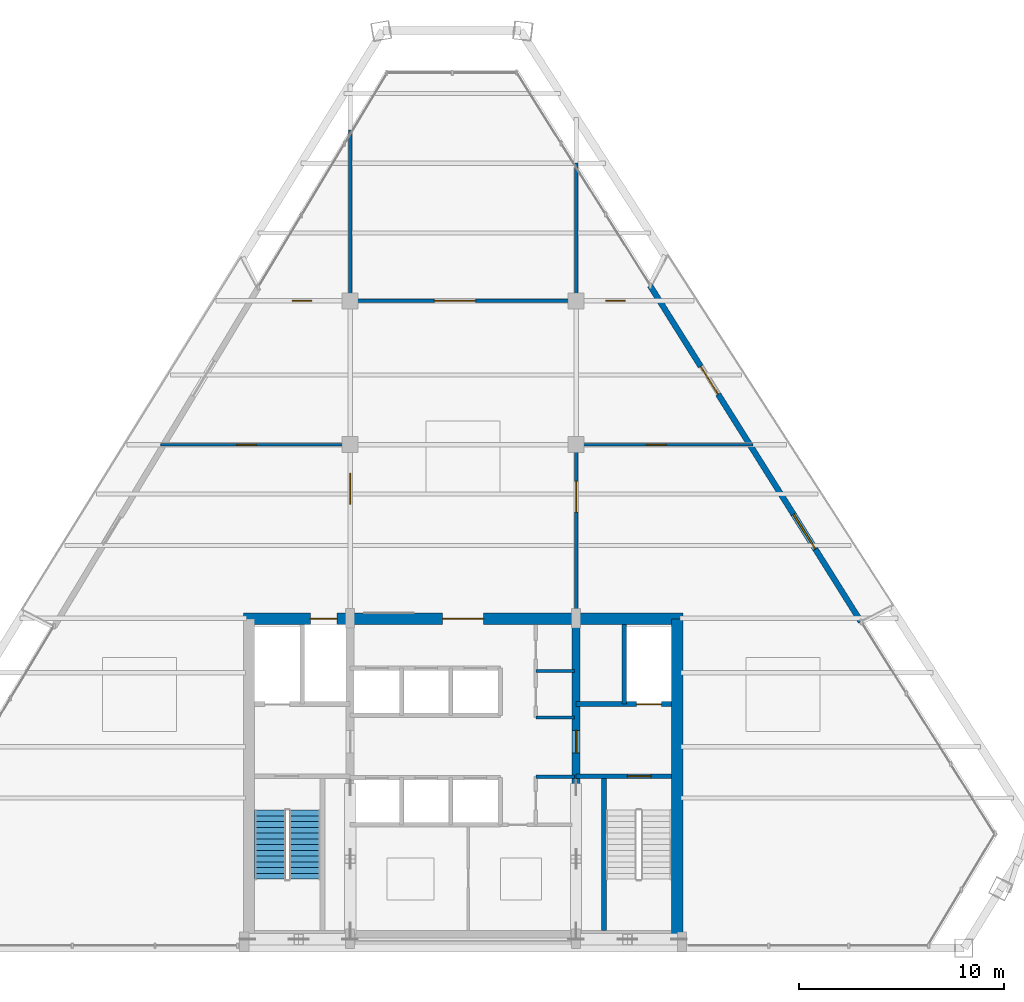
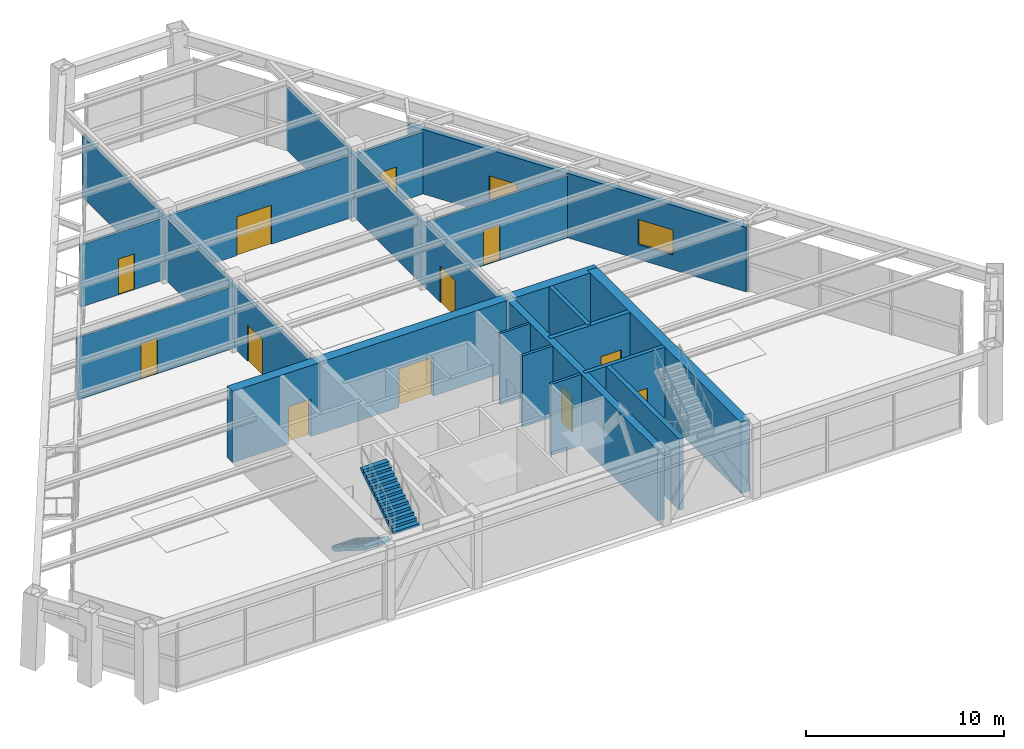
# One storey, part 8 of 11: 16 walls, 13 doors, 2 stair flights, 1 window, 14 openings, 1 element without a shape of its own.
"""IFC4 building model written with IfcOpenShell, lengths in metres."""

from ifc_helpers import new_model, si_unit, direction, frame, frame_2d, origin, place, context, subcontext, project, spatial, polyline, rectangle, outline, extrude, source, transform, mapped, material, layer, layer_set, type_object, type_shapes, element, fill, aggregate, save


model = new_model("IFC4")

# Units and contexts
model_context = context("Model", 3, precision=1e-05, world=origin(), true_north=direction((0.0, 1.0)))
body_context = subcontext(model_context, "Body", "Model", "MODEL_VIEW")
ifc_project = project(units=[si_unit("LENGTHUNIT", "METRE"), si_unit("AREAUNIT", "SQUARE_METRE"), si_unit("VOLUMEUNIT", "CUBIC_METRE"), si_unit("PLANEANGLEUNIT", "RADIAN"), si_unit("MASSUNIT", "GRAM", prefix="KILO")], contexts=[model_context])

# Site, building, storey
site_placement = place(None, origin())
site = spatial("IfcSite", under=ifc_project, at=site_placement, CompositionType="ELEMENT")
building_placement = place(site_placement, origin())
building = spatial("IfcBuilding", under=site, at=building_placement, Name="Varnakhor Terracotta Tower", CompositionType="ELEMENT")
storey_placement = place(building_placement, frame((0.0, 0.0, 215.39990234375)))
storey = spatial("IfcBuildingStorey", under=building, at=storey_placement, Name="L55", CompositionType="ELEMENT", Elevation=215.39990234375)

# Wall, openings, doors
ifc_material_1 = material(Name="Concrete C50/60", Category="concrete")
ifc_layer_1 = layer(ifc_material_1, 0.550048828125, Name="Concrete C50/60")
ifc_layer_set_1 = layer_set([ifc_layer_1], Name="Concrete C50/60")
wall_type_1 = type_object("IfcWallType", Name="WAL-CORE-550", PredefinedType="SHEAR", material=ifc_layer_set_1)
wall_1_placement = place(storey_placement, frame((-10.699951171875, 16.02490234375, 0.0), z_axis=(0.0, 0.0, 1.0), x_axis=(1.0, 0.0, 0.0)))
wall_1 = element("IfcWall", 1, at=wall_1_placement, inside=storey, type_object=wall_type_1, Name="L55 North Core Shear Wall", PredefinedType="SHEAR", context=body_context, shape_type="SweptSolid", body=[
    extrude(rectangle(XDim=21.39990234375, YDim=0.550048828125, at=frame_2d((10.699951171875, 0.0))), origin(), (0.0, 0.0, 1.0), 4.39013671875),
])
opening_1_placement = place(wall_1_placement, frame((3.27001953125, 0.0, 0.0)))
opening_1 = element("IfcOpeningElement", 2, at=opening_1_placement, cuts=wall_1, Name="Opening LD-03", PredefinedType="OPENING", context=body_context, shape_type="SweptSolid", body=[
    extrude(rectangle(XDim=1.300048828125, YDim=2.300048828125, at=frame_2d((0.64990234375, 1.14990234375))), frame((0.0, 0.28515625, 0.0), z_axis=(0.0, -1.0, 0.0), x_axis=(1.0, 0.0, 0.0)), (0.0, 0.0, 1.0), 0.570068359375),
])
opening_2_placement = place(wall_1_placement, frame((9.699951171875, 0.0, 0.0)))
opening_2 = element("IfcOpeningElement", 3, at=opening_2_placement, cuts=wall_1, Name="Opening DR-32", PredefinedType="OPENING", context=body_context, shape_type="SweptSolid", body=[
    extrude(rectangle(XDim=2.0, YDim=2.39990234375, at=frame_2d((1.0, 1.199951171875))), frame((0.0, 0.28515625, 0.0), z_axis=(0.0, -1.0, 0.0), x_axis=(1.0, 0.0, 0.0)), (0.0, 0.0, 1.0), 0.570068359375),
])
ifc_material_2 = material(Name="Heavy-Duty Goods Sliding Lift Landing Door", Category="steel")
door_type_1 = type_object("IfcDoorType", Name="LD-SRV-1300X2300", OperationType="NOTDEFINED", PredefinedType="DOOR", material=ifc_material_2)
shared_shape_1 = source(origin(), body_context, "Body", "SweptSolid", [
    extrude(rectangle(XDim=1.300048828125, YDim=2.300048828125, at=frame_2d((0.64990234375, 1.14990234375))), frame((0.0, 0.02490234375, 0.0), z_axis=(0.0, -1.0, 0.0), x_axis=(1.0, 0.0, 0.0)), (0.0, 0.0, 1.0), 0.050048828125),
])
type_shapes(door_type_1, [shared_shape_1])
door_1_placement = place(opening_1_placement, origin())
door_1 = element("IfcDoor", 4, at=door_1_placement, inside=storey, type_object=door_type_1, Name="L55 Service Lift SVL-1 Landing Door", OperationType="SLIDING_TO_RIGHT", OverallHeight=2.300048828125, OverallWidth=1.300048828125, PredefinedType="DOOR", context=body_context, shape_type="MappedRepresentation", body=[
    mapped(shared_shape_1, transform((0.0, 0.0, 0.0), scale=1.0)),
])
fill(opening_1, door_1)
ifc_material_3 = material(Name="Acoustic Double Assembly Fire Door", Category="wood")
door_type_2 = type_object("IfcDoorType", Name="DR-HALL-2000X2400", OperationType="NOTDEFINED", PredefinedType="DOOR", material=ifc_material_3)
shared_shape_2 = source(origin(), body_context, "Body", "SweptSolid", [
    extrude(rectangle(XDim=2.0, YDim=2.39990234375, at=frame_2d((1.0, 1.199951171875))), frame((0.0, 0.02490234375, 0.0), z_axis=(0.0, -1.0, 0.0), x_axis=(1.0, 0.0, 0.0)), (0.0, 0.0, 1.0), 0.050048828125),
])
type_shapes(door_type_2, [shared_shape_2])
door_2_placement = place(opening_2_placement, origin())
door_2 = element("IfcDoor", 5, at=door_2_placement, inside=storey, type_object=door_type_2, Name="L55 Core Main Lobby Double Door", OperationType="DOUBLE_DOOR_SINGLE_SWING", OverallHeight=2.39990234375, OverallWidth=2.0, PredefinedType="DOOR", context=body_context, shape_type="MappedRepresentation", body=[
    mapped(shared_shape_2, transform((0.0, 0.0, 0.0), scale=1.0)),
])
fill(opening_2, door_2)

# Wall
wall_2_placement = place(storey_placement, frame((10.425048828125, 0.574951171875, 0.0), z_axis=(0.0, 0.0, 1.0), x_axis=(0.0, 1.0, 0.0)))
element("IfcWall", 6, at=wall_2_placement, inside=storey, type_object=wall_type_1, Name="L55 East Core Shear Wall", PredefinedType="SHEAR", context=body_context, shape_type="SweptSolid", body=[
    extrude(rectangle(XDim=15.449951171875, YDim=0.550048828125, at=frame_2d((7.72509765625, 0.0))), origin(), (0.0, 0.0, 1.0), 4.39013671875),
])

# Wall, opening, door
ifc_layer_2 = layer(ifc_material_1, 0.39990234375, Name="Concrete C50/60")
ifc_layer_set_2 = layer_set([ifc_layer_2], Name="Concrete C50/60")
wall_type_2 = type_object("IfcWallType", Name="WAL-CORE-WEB-400", PredefinedType="SHEAR", material=ifc_layer_set_2)
wall_3_placement = place(storey_placement, frame((5.5, 0.574951171875, 0.0), z_axis=(0.0, 0.0, 1.0), x_axis=(0.0, 1.0, 0.0)))
wall_3 = element("IfcWall", 7, at=wall_3_placement, inside=storey, type_object=wall_type_2, Name="L55 East Core Web Shear Wall", PredefinedType="SHEAR", context=body_context, shape_type="SweptSolid", body=[
    extrude(rectangle(XDim=15.449951171875, YDim=0.39990234375, at=frame_2d((7.72509765625, 0.0))), origin(), (0.0, 0.0, 1.0), 4.39013671875),
])
opening_3_placement = place(wall_3_placement, frame((8.925048828125, 0.0, 0.0)))
opening_3 = element("IfcOpeningElement", 8, at=opening_3_placement, cuts=wall_3, Name="Opening DR-25", PredefinedType="OPENING", context=body_context, shape_type="SweptSolid", body=[
    extrude(rectangle(XDim=1.10009765625, YDim=2.199951171875, at=frame_2d((0.550048828125, 1.10009765625))), frame((0.0, 0.2099609375, 0.0), z_axis=(0.0, -1.0, 0.0), x_axis=(1.0, 0.0, 0.0)), (0.0, 0.0, 1.0), 0.419921875),
])
ifc_material_4 = material(Name="Firefighting Lobby Self-Closing Fire Door", Category="steel")
door_type_3 = type_object("IfcDoorType", Name="DR-FFL-1100X2200", OperationType="NOTDEFINED", PredefinedType="DOOR", material=ifc_material_4)
shared_shape_3 = source(origin(), body_context, "Body", "SweptSolid", [
    extrude(rectangle(XDim=1.10009765625, YDim=2.199951171875, at=frame_2d((0.550048828125, 1.10009765625))), frame((0.0, 0.02490234375, 0.0), z_axis=(0.0, -1.0, 0.0), x_axis=(1.0, 0.0, 0.0)), (0.0, 0.0, 1.0), 0.050048828125),
])
type_shapes(door_type_3, [shared_shape_3])
door_3_placement = place(opening_3_placement, origin())
door_3 = element("IfcDoor", 9, at=door_3_placement, inside=storey, type_object=door_type_3, Name="L55 East Firefighting Lobby Door", OperationType="SINGLE_SWING_LEFT", OverallHeight=2.199951171875, OverallWidth=1.10009765625, PredefinedType="DOOR", context=body_context, shape_type="MappedRepresentation", body=[
    mapped(shared_shape_3, transform((0.0, 0.0, 0.0), scale=1.0)),
])
fill(opening_3, door_3)

# Wall, openings, door, window
ifc_material_5 = material(Name="Extruded Architectural Terracotta Assembly", Category="masonry")
ifc_layer_3 = layer(ifc_material_5, 0.280029296875, Name="Extruded Architectural Terracotta Assembly")
ifc_layer_set_3 = layer_set([ifc_layer_3], Name="Extruded Architectural Terracotta Assembly")
wall_type_3 = type_object("IfcWallType", Name="WAL-EXT-TERRACOTTA-280", PredefinedType="SOLIDWALL", material=ifc_layer_set_3)
wall_4_placement = place(storey_placement, frame((9.102294921875, 32.23779296875, 0.0), z_axis=(0.0, 0.0, 1.0), x_axis=(0.531549047002, -0.847027514684, 0.0)))
wall_4 = element("IfcWall", 10, at=wall_4_placement, inside=storey, type_object=wall_type_3, Name="L55 E Loggia Insulated Terracotta Wall", PredefinedType="SOLIDWALL", context=body_context, shape_type="SweptSolid", body=[
    extrude(rectangle(XDim=19.3134765625, YDim=0.280029296875, at=frame_2d((9.65673828125, 0.0))), origin(), (0.0, 0.0, 1.0), 3.97021484375),
])
opening_4_placement = place(wall_4_placement, frame((4.63525390625, 0.0, 0.0)))
opening_4 = element("IfcOpeningElement", 11, at=opening_4_placement, cuts=wall_4, Name="Opening DR-62", PredefinedType="OPENING", context=body_context, shape_type="SweptSolid", body=[
    extrude(rectangle(XDim=1.60009765625, YDim=2.35009765625, at=frame_2d((0.800048828125, 1.175048828125))), frame((0.0, 0.14990234375, 0.0), z_axis=(0.0, -1.0, 0.0), x_axis=(1.0, 0.0, 0.0)), (0.0, 0.0, 1.0), 0.300048828125),
])
opening_5_placement = place(wall_4_placement, frame((13.13330078125, 0.0, 0.89990234375)))
opening_5 = element("IfcOpeningElement", 12, at=opening_5_placement, cuts=wall_4, Name="Opening WN-58", PredefinedType="OPENING", context=body_context, shape_type="SweptSolid", body=[
    extrude(rectangle(XDim=2.0, YDim=1.550048828125, at=frame_2d((1.0, 0.77490234375))), frame((0.0, 0.14990234375, 0.0), z_axis=(0.0, -1.0, 0.0), x_axis=(1.0, 0.0, 0.0)), (0.0, 0.0, 1.0), 0.300048828125),
])
ifc_material_6 = material(Name="Thermally Broken Sliding Glass Loggia Door", Category="glass")
door_type_4 = type_object("IfcDoorType", Name="DR-EXT-LOGGIA-1600X2350", OperationType="NOTDEFINED", PredefinedType="DOOR", material=ifc_material_6)
shared_shape_4 = source(origin(), body_context, "Body", "SweptSolid", [
    extrude(rectangle(XDim=1.60009765625, YDim=2.35009765625, at=frame_2d((0.800048828125, 1.175048828125))), frame((0.0, 0.02490234375, 0.0), z_axis=(0.0, -1.0, 0.0), x_axis=(1.0, 0.0, 0.0)), (0.0, 0.0, 1.0), 0.050048828125),
])
type_shapes(door_type_4, [shared_shape_4])
door_4_placement = place(opening_4_placement, origin())
door_4 = element("IfcDoor", 13, at=door_4_placement, inside=storey, type_object=door_type_4, Name="L55 E Recessed Loggia Sliding Door", OperationType="SLIDING_TO_RIGHT", OverallHeight=2.35009765625, OverallWidth=1.60009765625, PredefinedType="DOOR", context=body_context, shape_type="MappedRepresentation", body=[
    mapped(shared_shape_4, transform((0.0, 0.0, 0.0), scale=1.0)),
])
fill(opening_4, door_4)
ifc_material_7 = material(Name="Solar-Control Low-E Insulated Glass Unit", Category="glass")
window_type = type_object("IfcWindowType", Name="WIN-SKY-2600X1600", PartitioningType="SINGLE_PANEL", PredefinedType="WINDOW", material=ifc_material_7)
shared_shape_5 = source(origin(), body_context, "Body", "SweptSolid", [
    extrude(rectangle(XDim=2.0, YDim=1.550048828125, at=frame_2d((1.0, 0.77490234375))), frame((0.0, 0.030029296875, 0.0), z_axis=(0.0, -1.0, 0.0), x_axis=(1.0, 0.0, 0.0)), (0.0, 0.0, 1.0), 0.06005859375),
])
type_shapes(window_type, [shared_shape_5])
window_placement = place(opening_5_placement, origin())
window = element("IfcWindow", 14, at=window_placement, inside=storey, type_object=window_type, Name="L55 E Facet Punched Window", OverallHeight=1.550048828125, OverallWidth=2.0, PartitioningType="SINGLE_PANEL", PredefinedType="WINDOW", context=body_context, shape_type="MappedRepresentation", body=[
    mapped(shared_shape_5, transform((0.0, 0.0, 0.0), scale=1.0)),
])
fill(opening_5, window)

# Wall, opening, door
ifc_material_8 = material(Name="Concrete C40/50", Category="concrete")
ifc_layer_4 = layer(ifc_material_8, 0.219970703125, Name="Concrete C40/50")
ifc_layer_set_4 = layer_set([ifc_layer_4], Name="Concrete C40/50")
wall_type_4 = type_object("IfcWallType", Name="WAL-FFLOBBY-220", PredefinedType="SOLIDWALL", material=ifc_layer_set_4)
wall_5_placement = place(storey_placement, frame((10.14990234375, 8.35009765625, 0.0), z_axis=(0.0, 0.0, 1.0), x_axis=(-1.0, 0.0, 0.0)))
wall_5 = element("IfcWall", 15, at=wall_5_placement, inside=storey, type_object=wall_type_4, Name="L55 East Firefighting Lobby Stair Wall", PredefinedType="SOLIDWALL", context=body_context, shape_type="SweptSolid", body=[
    extrude(rectangle(XDim=4.64990234375, YDim=0.219970703125, at=frame_2d((2.324951171875, 0.0))), origin(), (0.0, 0.0, 1.0), 4.39013671875),
])
opening_6_placement = place(wall_5_placement, frame((1.0, 0.0, 0.0)))
opening_6 = element("IfcOpeningElement", 16, at=opening_6_placement, cuts=wall_5, Name="Opening DR-34", PredefinedType="OPENING", context=body_context, shape_type="SweptSolid", body=[
    extrude(rectangle(XDim=1.14990234375, YDim=2.199951171875, at=frame_2d((0.574951171875, 1.10009765625))), frame((0.0, 0.1201171875, 0.0), z_axis=(0.0, -1.0, 0.0), x_axis=(1.0, 0.0, 0.0)), (0.0, 0.0, 1.0), 0.239990234375),
])
ifc_material_9 = material(Name="Self-Closing Smoke-Sealed Steel Fire Door", Category="steel")
door_type_5 = type_object("IfcDoorType", Name="DR-STAIR-1150X2200", OperationType="NOTDEFINED", PredefinedType="DOOR", material=ifc_material_9)
shared_shape_6 = source(origin(), body_context, "Body", "SweptSolid", [
    extrude(rectangle(XDim=1.14990234375, YDim=2.199951171875, at=frame_2d((0.574951171875, 1.10009765625))), frame((0.0, 0.02490234375, 0.0), z_axis=(0.0, -1.0, 0.0), x_axis=(1.0, 0.0, 0.0)), (0.0, 0.0, 1.0), 0.050048828125),
])
type_shapes(door_type_5, [shared_shape_6])
door_5_placement = place(opening_6_placement, origin())
door_5 = element("IfcDoor", 17, at=door_5_placement, inside=storey, type_object=door_type_5, Name="L55 Exit Stair ST-2 Fire Door", OperationType="SINGLE_SWING_RIGHT", OverallHeight=2.199951171875, OverallWidth=1.14990234375, PredefinedType="DOOR", context=body_context, shape_type="MappedRepresentation", body=[
    mapped(shared_shape_6, transform((0.0, 0.0, 0.0), scale=1.0)),
])
fill(opening_6, door_5)

ifc_material_10 = material(Name="Acoustic Metal-Stud Partition", Category="gypsum")
ifc_layer_5 = layer(ifc_material_10, 0.139892578125, Name="Acoustic Metal-Stud Partition")
ifc_layer_set_5 = layer_set([ifc_layer_5], Name="Acoustic Metal-Stud Partition")
wall_type_5 = type_object("IfcWallType", Name="WAL-PART-140", PredefinedType="PARTITIONING", material=ifc_layer_set_5)
wall_6_placement = place(storey_placement, frame((-14.72607421875, 24.5, 0.0), z_axis=(0.0, 0.0, 1.0), x_axis=(1.0, 0.0, 0.0)))
wall_6 = element("IfcWall", 18, at=wall_6_placement, inside=storey, type_object=wall_type_5, Name="L55 West Wing Partition", PredefinedType="PARTITIONING", context=body_context, shape_type="SweptSolid", body=[
    extrude(rectangle(XDim=9.22607421875, YDim=0.139892578125, at=frame_2d((4.613037109375, 0.0))), origin(), (0.0, 0.0, 1.0), 3.8330078125),
])
opening_7_placement = place(wall_6_placement, frame((3.710693359375, 0.0, 0.0)))
opening_7 = element("IfcOpeningElement", 19, at=opening_7_placement, cuts=wall_6, Name="Opening DR-94", PredefinedType="OPENING", context=body_context, shape_type="SweptSolid", body=[
    extrude(rectangle(XDim=0.949951171875, YDim=2.199951171875, at=frame_2d((0.47509765625, 1.10009765625))), frame((0.0, 0.080078125, 0.0), z_axis=(0.0, -1.0, 0.0), x_axis=(1.0, 0.0, 0.0)), (0.0, 0.0, 1.0), 0.159912109375),
])
ifc_material_11 = material(Name="Acoustic Glazed-Vision Timber Office Door", Category="wood")
door_type_6 = type_object("IfcDoorType", Name="DR-OFF-950X2200", OperationType="NOTDEFINED", PredefinedType="DOOR", material=ifc_material_11)
shared_shape_7 = source(origin(), body_context, "Body", "SweptSolid", [
    extrude(rectangle(XDim=0.949951171875, YDim=2.199951171875, at=frame_2d((0.47509765625, 1.10009765625))), frame((0.0, 0.02490234375, 0.0), z_axis=(0.0, -1.0, 0.0), x_axis=(1.0, 0.0, 0.0)), (0.0, 0.0, 1.0), 0.050048828125),
])
type_shapes(door_type_6, [shared_shape_7])
door_6_placement = place(opening_7_placement, origin())
door_6 = element("IfcDoor", 20, at=door_6_placement, inside=storey, type_object=door_type_6, Name="L55 Conference Suite Door", OperationType="SINGLE_SWING_LEFT", OverallHeight=2.199951171875, OverallWidth=0.949951171875, PredefinedType="DOOR", context=body_context, shape_type="MappedRepresentation", body=[
    mapped(shared_shape_7, transform((0.0, 0.0, 0.0), scale=1.0)),
])
fill(opening_7, door_6)

wall_7_placement = place(storey_placement, frame((5.5, 24.5, 0.0), z_axis=(0.0, 0.0, 1.0), x_axis=(1.0, 0.0, 0.0)))
wall_7 = element("IfcWall", 21, at=wall_7_placement, inside=storey, type_object=wall_type_5, Name="L55 East Wing Partition", PredefinedType="PARTITIONING", context=body_context, shape_type="SweptSolid", body=[
    extrude(rectangle(XDim=8.611572265625, YDim=0.139892578125, at=frame_2d((4.3056640625, 0.0))), origin(), (0.0, 0.0, 1.0), 3.8330078125),
])
opening_8_placement = place(wall_7_placement, frame((3.43408203125, 0.0, 0.0)))
opening_8 = element("IfcOpeningElement", 22, at=opening_8_placement, cuts=wall_7, Name="Opening DR-94", PredefinedType="OPENING", context=body_context, shape_type="SweptSolid", body=[
    extrude(rectangle(XDim=0.949951171875, YDim=2.199951171875, at=frame_2d((0.47509765625, 1.10009765625))), frame((0.0, 0.080078125, 0.0), z_axis=(0.0, -1.0, 0.0), x_axis=(1.0, 0.0, 0.0)), (0.0, 0.0, 1.0), 0.159912109375),
])
door_7_placement = place(opening_8_placement, origin())
door_7 = element("IfcDoor", 23, at=door_7_placement, inside=storey, type_object=door_type_6, Name="L55 Sky Cafe Servery Door", OperationType="SINGLE_SWING_RIGHT", OverallHeight=2.199951171875, OverallWidth=0.949951171875, PredefinedType="DOOR", context=body_context, shape_type="MappedRepresentation", body=[
    mapped(shared_shape_7, transform((0.0, 0.0, 0.0), scale=1.0)),
])
fill(opening_8, door_7)

# Walls
ifc_layer_6 = layer(ifc_material_8, 0.219970703125, Name="Concrete C40/50")
ifc_layer_set_6 = layer_set([ifc_layer_6], Name="Concrete C40/50")
wall_type_6 = type_object("IfcWallType", Name="WAL-SHAFT-220", PredefinedType="SOLIDWALL", material=ifc_layer_set_6)
wall_8_placement = place(storey_placement, frame((7.840087890625, 11.8701171875, 0.0), z_axis=(0.0, 0.0, 1.0), x_axis=(0.0, 1.0, 0.0)))
element("IfcWall", 24, at=wall_8_placement, inside=storey, type_object=wall_type_6, Name="L55 Lift FFL-2 and Riser Divider Wall", PredefinedType="SOLIDWALL", context=body_context, shape_type="SweptSolid", body=[
    extrude(rectangle(XDim=3.8798828125, YDim=0.219970703125, at=frame_2d((1.93994140625, 0.0))), origin(), (0.0, 0.0, 1.0), 4.39013671875),
])
ifc_layer_7 = layer(ifc_material_8, 0.25, Name="Concrete C40/50")
ifc_layer_set_7 = layer_set([ifc_layer_7], Name="Concrete C40/50")
wall_type_7 = type_object("IfcWallType", Name="WAL-SHAFT-250", PredefinedType="SOLIDWALL", material=ifc_layer_set_7)
wall_9_placement = place(storey_placement, frame((6.85009765625, 0.85009765625, 0.0), z_axis=(0.0, 0.0, 1.0), x_axis=(0.0, 1.0, 0.0)))
element("IfcWall", 25, at=wall_9_placement, inside=storey, type_object=wall_type_7, Name="L55 Stair ST-2 Bearing Shaft Wall", PredefinedType="SOLIDWALL", context=body_context, shape_type="SweptSolid", body=[
    extrude(rectangle(XDim=7.5, YDim=0.25, at=frame_2d((3.75, 0.0))), origin(), (0.0, 0.0, 1.0), 4.39013671875),
])

# Wall, opening, door
wall_10_placement = place(storey_placement, frame((10.14990234375, 11.8701171875, 0.0), z_axis=(0.0, 0.0, 1.0), x_axis=(-1.0, 0.0, 0.0)))
wall_10 = element("IfcWall", 26, at=wall_10_placement, inside=storey, type_object=wall_type_7, Name="L55 Lift FFL-2 Shaft Front Wall", PredefinedType="SOLIDWALL", context=body_context, shape_type="SweptSolid", body=[
    extrude(rectangle(XDim=4.64990234375, YDim=0.25, at=frame_2d((2.324951171875, 0.0))), origin(), (0.0, 0.0, 1.0), 4.39013671875),
])
opening_9_placement = place(wall_10_placement, frame((0.5, 0.0, 0.0)))
opening_9 = element("IfcOpeningElement", 27, at=opening_9_placement, cuts=wall_10, Name="Opening LD-02", PredefinedType="OPENING", context=body_context, shape_type="SweptSolid", body=[
    extrude(rectangle(XDim=1.199951171875, YDim=2.25, at=frame_2d((0.60009765625, 1.125))), frame((0.0, 0.135009765625, 0.0), z_axis=(0.0, -1.0, 0.0), x_axis=(1.0, 0.0, 0.0)), (0.0, 0.0, 1.0), 0.27001953125),
])
ifc_material_12 = material(Name="Firefighting Stretcher Sliding Lift Landing Door", Category="steel")
door_type_7 = type_object("IfcDoorType", Name="LD-FFL-1200X2250", OperationType="NOTDEFINED", PredefinedType="DOOR", material=ifc_material_12)
shared_shape_8 = source(origin(), body_context, "Body", "SweptSolid", [
    extrude(rectangle(XDim=1.199951171875, YDim=2.25, at=frame_2d((0.60009765625, 1.125))), frame((0.0, 0.02490234375, 0.0), z_axis=(0.0, -1.0, 0.0), x_axis=(1.0, 0.0, 0.0)), (0.0, 0.0, 1.0), 0.050048828125),
])
type_shapes(door_type_7, [shared_shape_8])
door_8_placement = place(opening_9_placement, origin())
door_8 = element("IfcDoor", 28, at=door_8_placement, inside=storey, type_object=door_type_7, Name="L55 Firefighting Lift FFL-2 Landing Door", OperationType="SLIDING_TO_RIGHT", OverallHeight=2.25, OverallWidth=1.199951171875, PredefinedType="DOOR", context=body_context, shape_type="MappedRepresentation", body=[
    mapped(shared_shape_8, transform((0.0, 0.0, 0.0), scale=1.0)),
])
fill(opening_9, door_8)

# Walls
ifc_material_13 = material(Name="Acoustic Fire-Rated Partition", Category="gypsum")
ifc_layer_8 = layer(ifc_material_13, 0.139892578125, Name="Acoustic Fire-Rated Partition")
ifc_layer_set_8 = layer_set([ifc_layer_8], Name="Acoustic Fire-Rated Partition")
wall_type_8 = type_object("IfcWallType", Name="WAL-TENANCY-140", PredefinedType="PARTITIONING", material=ifc_layer_set_8)
wall_11_placement = place(storey_placement, frame((3.5400390625, 13.47998046875, 0.0), z_axis=(0.0, 0.0, 1.0), x_axis=(1.0, 0.0, 0.0)))
element("IfcWall", 29, at=wall_11_placement, inside=storey, type_object=wall_type_8, Name="L55 Male and Female Restroom Divider Wall", PredefinedType="PARTITIONING", context=body_context, shape_type="SweptSolid", body=[
    extrude(rectangle(XDim=1.8798828125, YDim=0.139892578125, at=frame_2d((0.93994140625, 0.0))), origin(), (0.0, 0.0, 1.0), 4.382080078125),
])
ifc_layer_9 = layer(ifc_material_13, 0.1650390625, Name="Acoustic Fire-Rated Partition")
ifc_layer_set_9 = layer_set([ifc_layer_9], Name="Acoustic Fire-Rated Partition")
wall_type_9 = type_object("IfcWallType", Name="WAL-TENANCY-165", PredefinedType="PARTITIONING", material=ifc_layer_set_9)
for number, where, z_axis, x_axis, name in (
    (30, (3.5400390625, 8.340087890625, 0.0), (0.0, 0.0, 1.0), (1.0, 0.0, 0.0), "L55 Accessible WC North Wall"),
    (31, (3.5400390625, 11.219970703125, 0.0), (0.0, 0.0, 1.0), (1.0, 0.0, 0.0), "L55 Restroom South Wall"),
):
    element("IfcWall", number, at=place(storey_placement, frame(where, z_axis=z_axis, x_axis=x_axis)), inside=storey, type_object=wall_type_9, Name=name, PredefinedType="PARTITIONING", context=body_context, shape_type="SweptSolid", body=[
        extrude(rectangle(XDim=1.8798828125, YDim=0.1650390625, at=frame_2d((0.93994140625, 0.0))), origin(), (0.0, 0.0, 1.0), 4.382080078125),
    ])

# Wall, openings, doors
wall_12_placement = place(storey_placement, frame((-10.5087890625, 31.5, 0.0), z_axis=(0.0, 0.0, 1.0), x_axis=(1.0, 0.0, 0.0)))
wall_12 = element("IfcWall", 32, at=wall_12_placement, inside=storey, type_object=wall_type_9, Name="L55 Sky Concourse North Wall", PredefinedType="PARTITIONING", context=body_context, shape_type="SweptSolid", body=[
    extrude(rectangle(XDim=20.2275390625, YDim=0.1650390625, at=frame_2d((10.11376953125, 0.0))), origin(), (0.0, 0.0, 1.0), 3.8330078125),
])
opening_10_placement = place(wall_12_placement, frame((9.11376953125, 0.0, 0.0)))
opening_10 = element("IfcOpeningElement", 33, at=opening_10_placement, cuts=wall_12, Name="Opening DR-32", PredefinedType="OPENING", context=body_context, shape_type="SweptSolid", body=[
    extrude(rectangle(XDim=2.0, YDim=2.39990234375, at=frame_2d((1.0, 1.199951171875))), frame((0.0, 0.092529296875, 0.0), z_axis=(0.0, -1.0, 0.0), x_axis=(1.0, 0.0, 0.0)), (0.0, 0.0, 1.0), 0.18505859375),
])
opening_11_placement = place(wall_12_placement, frame((17.463623046875, 0.0, 0.0)))
opening_11 = element("IfcOpeningElement", 34, at=opening_11_placement, cuts=wall_12, Name="Opening DR-94", PredefinedType="OPENING", context=body_context, shape_type="SweptSolid", body=[
    extrude(rectangle(XDim=0.949951171875, YDim=2.199951171875, at=frame_2d((0.47509765625, 1.10009765625))), frame((0.0, 0.092529296875, 0.0), z_axis=(0.0, -1.0, 0.0), x_axis=(1.0, 0.0, 0.0)), (0.0, 0.0, 1.0), 0.18505859375),
])
opening_12_placement = place(wall_12_placement, frame((2.1953125, 0.0, 0.0)))
opening_12 = element("IfcOpeningElement", 35, at=opening_12_placement, cuts=wall_12, Name="Opening DR-94", PredefinedType="OPENING", context=body_context, shape_type="SweptSolid", body=[
    extrude(rectangle(XDim=0.949951171875, YDim=2.199951171875, at=frame_2d((0.47509765625, 1.10009765625))), frame((0.0, 0.092529296875, 0.0), z_axis=(0.0, -1.0, 0.0), x_axis=(1.0, 0.0, 0.0)), (0.0, 0.0, 1.0), 0.18505859375),
])
door_9_placement = place(opening_10_placement, origin())
door_9 = element("IfcDoor", 36, at=door_9_placement, inside=storey, type_object=door_type_2, Name="L55 Panorama Lounge Door", OperationType="DOUBLE_DOOR_SINGLE_SWING", OverallHeight=2.39990234375, OverallWidth=2.0, PredefinedType="DOOR", context=body_context, shape_type="MappedRepresentation", body=[
    mapped(shared_shape_2, transform((0.0, 0.0, 0.0), scale=1.0)),
])
fill(opening_10, door_9)
door_10_placement = place(opening_11_placement, origin())
door_10 = element("IfcDoor", 37, at=door_10_placement, inside=storey, type_object=door_type_6, Name="L55 Sommelier Wine Lounge Door", OperationType="SINGLE_SWING_LEFT", OverallHeight=2.199951171875, OverallWidth=0.949951171875, PredefinedType="DOOR", context=body_context, shape_type="MappedRepresentation", body=[
    mapped(shared_shape_7, transform((0.0, 0.0, 0.0), scale=1.0)),
])
fill(opening_11, door_10)
door_11_placement = place(opening_12_placement, origin())
door_11 = element("IfcDoor", 38, at=door_11_placement, inside=storey, type_object=door_type_6, Name="L55 Conference Boardroom 55A Door", OperationType="SINGLE_SWING_RIGHT", OverallHeight=2.199951171875, OverallWidth=0.949951171875, PredefinedType="DOOR", context=body_context, shape_type="MappedRepresentation", body=[
    mapped(shared_shape_7, transform((0.0, 0.0, 0.0), scale=1.0)),
])
fill(opening_12, door_11)

# Wall, opening, door
wall_13_placement = place(storey_placement, frame((-5.5, 16.320068359375, 0.0), z_axis=(0.0, 0.0, 1.0), x_axis=(0.0, 1.0, 0.0)))
wall_13 = element("IfcWall", 39, at=wall_13_placement, inside=storey, type_object=wall_type_9, Name="L55 West Sky Suite Wall", PredefinedType="PARTITIONING", context=body_context, shape_type="SweptSolid", body=[
    extrude(rectangle(XDim=23.493408203125, YDim=0.1650390625, at=frame_2d((11.74658203125, 0.0))), origin(), (0.0, 0.0, 1.0), 3.8330078125),
])
opening_13_placement = place(wall_13_placement, frame((5.29345703125, 0.0, 0.0)))
opening_13 = element("IfcOpeningElement", 40, at=opening_13_placement, cuts=wall_13, Name="Opening DR-30", PredefinedType="OPENING", context=body_context, shape_type="SweptSolid", body=[
    extrude(rectangle(XDim=1.5, YDim=2.25, at=frame_2d((0.75, 1.125))), frame((0.0, 0.092529296875, 0.0), z_axis=(0.0, -1.0, 0.0), x_axis=(1.0, 0.0, 0.0)), (0.0, 0.0, 1.0), 0.18505859375),
])
ifc_material_14 = material(Name="Double Acoustic Conference Room Door", Category="wood")
door_type_8 = type_object("IfcDoorType", Name="DR-MEET-1500X2250", OperationType="NOTDEFINED", PredefinedType="DOOR", material=ifc_material_14)
shared_shape_9 = source(origin(), body_context, "Body", "SweptSolid", [
    extrude(rectangle(XDim=1.5, YDim=2.25, at=frame_2d((0.75, 1.125))), frame((0.0, 0.02490234375, 0.0), z_axis=(0.0, -1.0, 0.0), x_axis=(1.0, 0.0, 0.0)), (0.0, 0.0, 1.0), 0.050048828125),
])
type_shapes(door_type_8, [shared_shape_9])
door_12_placement = place(opening_13_placement, origin())
door_12 = element("IfcDoor", 41, at=door_12_placement, inside=storey, type_object=door_type_8, Name="L55 West Sky Suite Door", OperationType="DOUBLE_DOOR_SINGLE_SWING", OverallHeight=2.25, OverallWidth=1.5, PredefinedType="DOOR", context=body_context, shape_type="MappedRepresentation", body=[
    mapped(shared_shape_9, transform((0.0, 0.0, 0.0), scale=1.0)),
])
fill(opening_13, door_12)

wall_14_placement = place(storey_placement, frame((5.5, 16.320068359375, 0.0), z_axis=(0.0, 0.0, 1.0), x_axis=(0.0, 1.0, 0.0)))
wall_14 = element("IfcWall", 42, at=wall_14_placement, inside=storey, type_object=wall_type_9, Name="L55 East Sky Suite Wall", PredefinedType="PARTITIONING", context=body_context, shape_type="SweptSolid", body=[
    extrude(rectangle(XDim=21.90234375, YDim=0.1650390625, at=frame_2d((10.951171875, 0.0))), origin(), (0.0, 0.0, 1.0), 3.8330078125),
])
opening_14_placement = place(wall_14_placement, frame((4.8955078125, 0.0, 0.0)))
opening_14 = element("IfcOpeningElement", 43, at=opening_14_placement, cuts=wall_14, Name="Opening DR-30", PredefinedType="OPENING", context=body_context, shape_type="SweptSolid", body=[
    extrude(rectangle(XDim=1.5, YDim=2.25, at=frame_2d((0.75, 1.125))), frame((0.0, 0.092529296875, 0.0), z_axis=(0.0, -1.0, 0.0), x_axis=(1.0, 0.0, 0.0)), (0.0, 0.0, 1.0), 0.18505859375),
])
door_13_placement = place(opening_14_placement, origin())
door_13 = element("IfcDoor", 44, at=door_13_placement, inside=storey, type_object=door_type_8, Name="L55 East Sky Suite Door", OperationType="DOUBLE_DOOR_SINGLE_SWING", OverallHeight=2.25, OverallWidth=1.5, PredefinedType="DOOR", context=body_context, shape_type="MappedRepresentation", body=[
    mapped(shared_shape_9, transform((0.0, 0.0, 0.0), scale=1.0)),
])
fill(opening_14, door_13)

# Stair, stair flights
stair_type = type_object("IfcStairType", Name="STR-CORE-HOTEL-1500", PredefinedType="HALF_TURN_STAIR", material=ifc_material_8)
stair_placement = place(storey_placement, origin())
stair = element("IfcStair", 45, at=stair_placement, inside=storey, type_object=stair_type, Name="L55 Core Exit Stair ST-1", PredefinedType="HALF_TURN_STAIR")
stair_flight_type = type_object("IfcStairFlightType", Name="FLT-HOTEL-1500", PredefinedType="STRAIGHT", material=ifc_material_8)
stair_flight_1_placement = place(storey_placement, frame((-9.39990234375, 6.7099609375, 0.0), z_axis=(0.0, 0.0, 1.0), x_axis=(0.0, -1.0, 0.0)))
stair_flight_1 = element("IfcStairFlight", 46, at=stair_flight_1_placement, type_object=stair_flight_type, Name="ST-1 flight 1", NumberOfRisers=13, NumberOfTreads=12, PredefinedType="STRAIGHT", RiserHeight=0.176923077, TreadLength=0.28, context=body_context, shape_type="SweptSolid", body=[
    extrude(outline(polyline([(0.0, 0.0), (0.0, 0.177001953125), (0.280029296875, 0.177001953125), (0.280029296875, 0.353759765625), (0.56005859375, 0.353759765625), (0.56005859375, 0.53076171875), (0.840087890625, 0.53076171875), (0.840087890625, 0.707763671875), (1.1201171875, 0.707763671875), (1.1201171875, 0.884521484375), (1.39990234375, 0.884521484375), (1.39990234375, 1.0615234375), (1.679931640625, 1.0615234375), (1.679931640625, 1.238525390625), (1.9599609375, 1.238525390625), (1.9599609375, 1.415283203125), (2.239990234375, 1.415283203125), (2.239990234375, 1.59228515625), (2.52001953125, 1.59228515625), (2.52001953125, 1.769287109375), (2.800048828125, 1.769287109375), (2.800048828125, 1.946044921875), (3.080078125, 1.946044921875), (3.080078125, 2.123046875), (3.360107421875, 2.123046875), (3.360107421875, 2.300048828125), (3.360107421875, 1.933837890625), (0.29931640625, 0.0), (0.0, 0.0)])), frame((0.0, 0.75, 0.0), z_axis=(0.0, -1.0, 0.0), x_axis=(1.0, 0.0, 0.0)), (0.0, 0.0, 1.0), 1.5),
])
stair_flight_2_placement = place(storey_placement, frame((-7.699951171875, 3.35009765625, 2.300048828125), z_axis=(0.0, 0.0, 1.0), x_axis=(0.0, 1.0, 0.0)))
stair_flight_2 = element("IfcStairFlight", 47, at=stair_flight_2_placement, type_object=stair_flight_type, Name="ST-1 flight 2", NumberOfRisers=13, NumberOfTreads=12, PredefinedType="STRAIGHT", RiserHeight=0.176923077, TreadLength=0.28, context=body_context, shape_type="SweptSolid", body=[
    extrude(outline(polyline([(0.0, 0.0), (0.0, 0.177001953125), (0.280029296875, 0.177001953125), (0.280029296875, 0.353759765625), (0.56005859375, 0.353759765625), (0.56005859375, 0.53076171875), (0.840087890625, 0.53076171875), (0.840087890625, 0.707763671875), (1.1201171875, 0.707763671875), (1.1201171875, 0.884521484375), (1.39990234375, 0.884521484375), (1.39990234375, 1.0615234375), (1.679931640625, 1.0615234375), (1.679931640625, 1.238525390625), (1.9599609375, 1.238525390625), (1.9599609375, 1.415283203125), (2.239990234375, 1.415283203125), (2.239990234375, 1.59228515625), (2.52001953125, 1.59228515625), (2.52001953125, 1.769287109375), (2.800048828125, 1.769287109375), (2.800048828125, 1.946044921875), (3.080078125, 1.946044921875), (3.080078125, 2.123046875), (3.360107421875, 2.123046875), (3.360107421875, 2.300048828125), (3.360107421875, 1.933837890625), (0.29931640625, 0.0), (0.0, 0.0)])), frame((0.0, 0.75, 0.0), z_axis=(0.0, -1.0, 0.0), x_axis=(1.0, 0.0, 0.0)), (0.0, 0.0, 1.0), 1.5),
])
aggregate(stair, [stair_flight_1, stair_flight_2])

save(model, "model.ifc")
